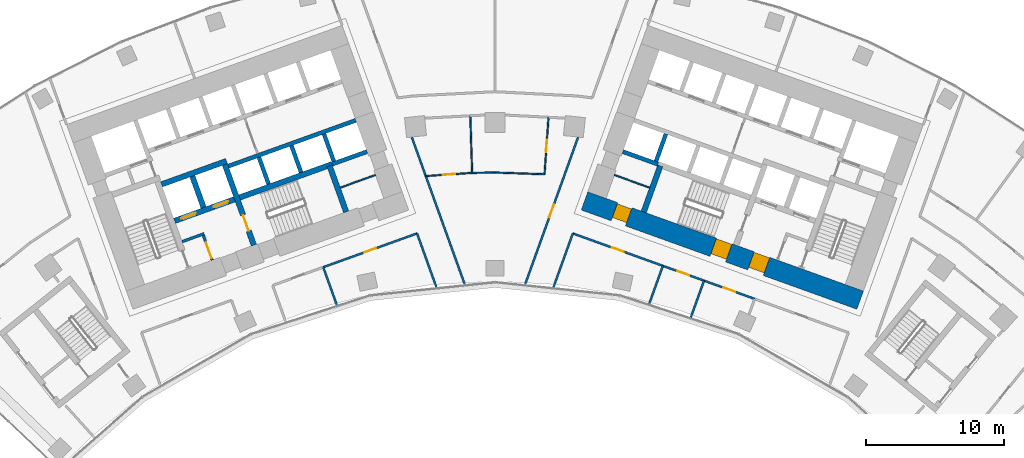
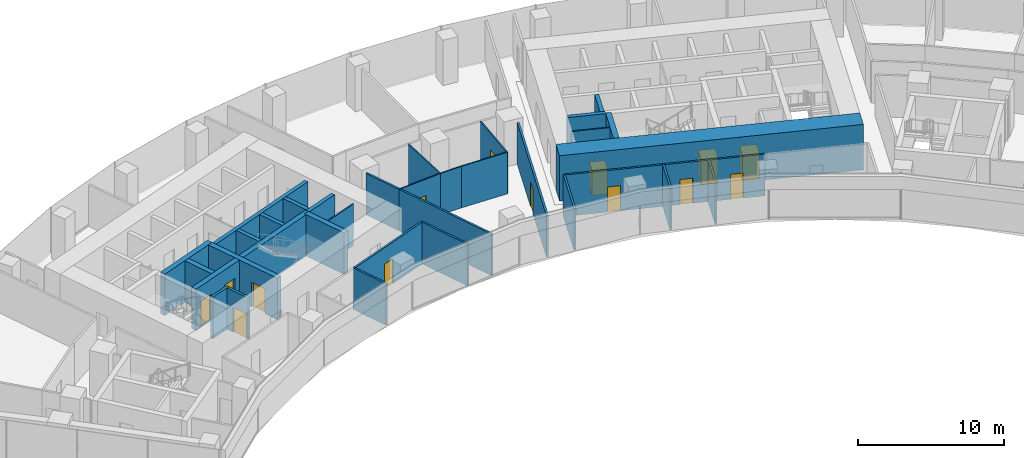
# One storey, part 13 of 19: 35 walls, 14 doors, 14 openings.
"""IFC4 building model written with IfcOpenShell, lengths in metres."""

import ifcopenshell
import ifcopenshell.guid

model = None  # the IFC model being written
_history = None  # IfcOwnerHistory: only IFC2X3 demands one
_inside = {}  # id of a spatial element -> (the spatial element, [elements in it])
_under = {}  # id of a project, library or spatial element -> (it, [spatial elements below it])
_declared = {}  # id of a project -> (the project, [libraries it declares])
_typed = {}  # id of a type object -> (the type object, [elements of that type])
_made_of = {}  # id of a material, layer set ... -> (it, [elements and type objects made of it])


def new_model(schema):
    """Start an empty IFC model of exactly this schema.

    Asked for "IFC4X3", IfcOpenShell would pick the latest addendum, in which some entities
    have other attributes; the version numbers below select the first issue.
    IFC2X3 requires an IfcOwnerHistory on every rooted entity: one is made here for all.
    """
    global model, _history
    if schema == "IFC4X3":
        model = ifcopenshell.file(schema_version=(4, 3, 0, 0))
    else:
        model = ifcopenshell.file(schema=schema)
    _inside.clear()
    _under.clear()
    _declared.clear()
    _typed.clear()
    _made_of.clear()
    _history = None
    if model.schema == "IFC2X3":
        org = make("IfcOrganization", Name="unknown")
        user = make(
            "IfcPersonAndOrganization",
            ThePerson=make("IfcPerson", FamilyName="unknown"),
            TheOrganization=org,
        )
        app = make(
            "IfcApplication",
            ApplicationDeveloper=org,
            Version="unknown",
            ApplicationFullName="unknown",
            ApplicationIdentifier="unknown",
        )
        _history = make(
            "IfcOwnerHistory",
            OwningUser=user,
            OwningApplication=app,
            ChangeAction="ADDED",
            CreationDate=0,
        )
    return model


def make(cls, **values):
    """One entity of the class cls with the attributes given. An attribute that is None is left unset."""
    return model.create_entity(
        cls, **{name: value for name, value in values.items() if value is not None}
    )


def rooted(cls, **values):
    """An entity with a GlobalId (a new one), such as an element, a storey or a relation."""
    return make(cls, GlobalId=ifcopenshell.guid.new(), OwnerHistory=_history, **values)


def si_unit(unit_type, name, prefix=None):
    """IfcSIUnit, for example si_unit("LENGTHUNIT", "METRE", prefix="MILLI")."""
    return make("IfcSIUnit", UnitType=unit_type, Prefix=prefix, Name=name)


def assignment(units):
    """IfcUnitAssignment: the units of a project."""
    return None if units is None else make("IfcUnitAssignment", Units=units)


def point(xyz):
    """IfcCartesianPoint."""
    return None if xyz is None else make("IfcCartesianPoint", Coordinates=xyz)


def direction(xyz):
    """IfcDirection."""
    return None if xyz is None else make("IfcDirection", DirectionRatios=xyz)


def frame(location, z_axis=None, x_axis=None):
    """IfcAxis2Placement3D, a coordinate frame: its origin and axes. An axis left out is left unset."""
    return make(
        "IfcAxis2Placement3D",
        Location=point(location),
        Axis=direction(z_axis),
        RefDirection=direction(x_axis),
    )


def frame_2d(location, x_axis=None):
    """IfcAxis2Placement2D, a coordinate frame in the plane: its origin and x axis."""
    return make(
        "IfcAxis2Placement2D", Location=point(location), RefDirection=direction(x_axis)
    )


def origin():
    """The frame at (0, 0, 0) with its axes left unset."""
    return frame((0.0, 0.0, 0.0))


def place(relative_to, where):
    """IfcLocalPlacement: puts the frame where relative to a parent placement (None: the world)."""
    return make(
        "IfcLocalPlacement", PlacementRelTo=relative_to, RelativePlacement=where
    )


def context(
    kind, dimensions, precision=None, world=None, true_north=None, identifier=None
):
    """IfcGeometricRepresentationContext, for example the 3D "Model" context."""
    return make(
        "IfcGeometricRepresentationContext",
        ContextIdentifier=identifier,
        ContextType=kind,
        CoordinateSpaceDimension=dimensions,
        Precision=precision,
        WorldCoordinateSystem=world,
        TrueNorth=true_north,
    )


def subcontext(parent, identifier, kind, view, scale=None):
    """IfcGeometricRepresentationSubContext, for example "Body" below "Model"."""
    return make(
        "IfcGeometricRepresentationSubContext",
        ContextIdentifier=identifier,
        ContextType=kind,
        ParentContext=parent,
        TargetScale=scale,
        TargetView=view,
    )


def project(units=None, contexts=None):
    """IfcProject with its units and contexts."""
    return rooted(
        "IfcProject",
        Name="project",
        RepresentationContexts=contexts,
        UnitsInContext=assignment(units),
    )


def spatial(cls, under=None, at=None, **own):
    """A site, building, storey or space (cls), placed at a placement, below another one or the project."""
    s = rooted(cls, ObjectPlacement=at, **own)
    if under is not None:
        _under.setdefault(under.id(), (under, []))[1].append(s)
    return s


def profile(cls, at=None, kind="AREA", **sizes):
    """A parametric profile (cls). Its sizes go by their IFC names, for example OverallWidth=200.0."""
    return make(cls, ProfileType=kind, Position=at, **sizes)


def rectangle(**sizes):
    """IfcRectangleProfileDef."""
    return profile("IfcRectangleProfileDef", **sizes)


def extrude(swept, where, along, depth):
    """IfcExtrudedAreaSolid: the profile swept, set in the frame where, extruded along a direction by depth."""
    return make(
        "IfcExtrudedAreaSolid",
        SweptArea=swept,
        Position=where,
        ExtrudedDirection=direction(along),
        Depth=depth,
    )


def shape(context_of_items, identifier, shape_type, items):
    """IfcShapeRepresentation: the items that make up one representation, for example the "Body"."""
    return make(
        "IfcShapeRepresentation",
        ContextOfItems=context_of_items,
        RepresentationIdentifier=identifier,
        RepresentationType=shape_type,
        Items=items,
    )


def material(Name=None, Category=None):
    """IfcMaterial."""
    return make("IfcMaterial", Name=Name, Category=Category)


def layer(
    of_material, thickness, ventilated=None, Name=None, Category=None, Priority=None
):
    """IfcMaterialLayer: one layer of a wall or slab, of a material (None: an air gap)."""
    return make(
        "IfcMaterialLayer",
        Material=of_material,
        LayerThickness=thickness,
        IsVentilated=ventilated,
        Name=Name,
        Category=Category,
        Priority=Priority,
    )


def layer_set(layers, Name=None):
    """IfcMaterialLayerSet."""
    return make("IfcMaterialLayerSet", MaterialLayers=layers, LayerSetName=Name)


def made_of(thing, what):
    """Note that an element or type object is made of a material, layer set ...; save() writes the relation."""
    if what is not None:
        _made_of.setdefault(what.id(), (what, []))[1].append(thing)
    return thing


def type_object(cls, material=None, **own):
    """A type object (cls), such as IfcWallType, which elements share."""
    return made_of(rooted(cls, **own), material)


def element(
    cls,
    number,
    at=None,
    inside=None,
    cuts=None,
    type_object=None,
    material=None,
    context=None,
    identifier="Body",
    shape_type=None,
    held_by="IfcProductDefinitionShape",
    body=None,
    shapes=None,
    **own,
):
    """One element of the class cls, such as IfcWall. Its Tag is "e" and its number.

    at: its placement. inside: the storey or other place that contains it. cuts: it is an
    opening in that element (IfcRelVoidsElement). A single representation is given by context,
    identifier, shape_type and body (its items); several are given by shapes. held_by: the class
    of the entity that holds the representations. save() writes the other relations.
    """
    e = rooted(cls, Tag="e%d" % number, ObjectPlacement=at, **own)
    if body is not None:
        shapes = [shape(context, identifier, shape_type, body)]
    if shapes is not None:
        e.Representation = make(held_by, Representations=shapes)
    if inside is not None:
        _inside.setdefault(inside.id(), (inside, []))[1].append(e)
    if cuts is not None:
        rooted(
            "IfcRelVoidsElement", RelatingBuildingElement=cuts, RelatedOpeningElement=e
        )
    if type_object is not None:
        _typed.setdefault(type_object.id(), (type_object, []))[1].append(e)
    return made_of(e, material)


def fill(opening, filler):
    """IfcRelFillsElement: the door or window that sits in an opening."""
    return rooted(
        "IfcRelFillsElement",
        RelatingOpeningElement=opening,
        RelatedBuildingElement=filler,
    )


def aggregate(whole, parts):
    """IfcRelAggregates: a whole, such as a stair, and the parts it consists of."""
    return rooted("IfcRelAggregates", RelatingObject=whole, RelatedObjects=parts)


def save(model, path):
    """Write the relations noted so far, then the file.

    IfcRelAggregates (storeys below a building ...), IfcRelContainedInSpatialStructure (elements
    in a storey), IfcRelDefinesByType, IfcRelAssociatesMaterial and IfcRelDeclares: one each for
    every whole, place, type object, material and project.
    """
    for whole, parts in _under.values():
        aggregate(whole, parts)
    for where, things in _inside.values():
        rooted(
            "IfcRelContainedInSpatialStructure",
            RelatedElements=things,
            RelatingStructure=where,
        )
    for kind, things in _typed.values():
        rooted("IfcRelDefinesByType", RelatedObjects=things, RelatingType=kind)
    for what, things in _made_of.values():
        rooted("IfcRelAssociatesMaterial", RelatedObjects=things, RelatingMaterial=what)
    for by, libraries in _declared.values():
        rooted("IfcRelDeclares", RelatingContext=by, RelatedDefinitions=libraries)
    model.write(path)


model = new_model("IFC4")

# Units and contexts
model_context = context("Model", 3, precision=1e-05, world=origin(), true_north=direction((0.0, 1.0)))
body_context = subcontext(model_context, "Body", "Model", "MODEL_VIEW")
ifc_project = project(units=[si_unit("LENGTHUNIT", "METRE"), si_unit("AREAUNIT", "SQUARE_METRE"), si_unit("VOLUMEUNIT", "CUBIC_METRE"), si_unit("PLANEANGLEUNIT", "RADIAN"), si_unit("MASSUNIT", "GRAM", prefix="KILO")], contexts=[model_context])

# Site, building, storey
site_placement = place(None, origin())
site = spatial("IfcSite", under=ifc_project, at=site_placement, CompositionType="ELEMENT")
building_placement = place(site_placement, origin())
building = spatial("IfcBuilding", under=site, at=building_placement, Name="Stone Belt Terrace Tower", CompositionType="ELEMENT")
storey_placement = place(building_placement, frame((0.0, 0.0, 128.800048828125)))
storey = spatial("IfcBuildingStorey", under=building, at=storey_placement, Name="L31", CompositionType="ELEMENT", Elevation=128.800048828125)

# Walls
ifc_material_1 = material(Name="Plasterboard partition")
ifc_layer_1 = layer(ifc_material_1, 0.10009765625)
ifc_layer_set_1 = layer_set([ifc_layer_1], Name="Core partition 100")
wall_type_1 = type_object("IfcWallType", Name="Core partition 100", PredefinedType="PARTITIONING", material=ifc_layer_set_1)
for number, where, z_axis, x_axis, name in (
    (1, (-11.187744140625, 50.2822265625, 0.0), (0.0, 0.0, 1.0), (0.940949642365, 0.338546555931, 0.0), "Core A wall"),
    (2, (11.187744140625, 50.2822265625, 0.0), (0.0, 0.0, 1.0), (-0.940949642365, 0.338546555931, 0.0), "Core B wall"),
):
    element("IfcWall", number, at=place(storey_placement, frame(where, z_axis=z_axis, x_axis=x_axis)), inside=storey, type_object=wall_type_1, Name=name, PredefinedType="PARTITIONING", context=body_context, shape_type="SweptSolid", body=[
        extrude(rectangle(XDim=2.699951171875, YDim=0.10009765625, at=frame_2d((1.35009765625, 0.0))), origin(), (0.0, 0.0, 1.0), 3.47998046875),
    ])

# Wall, openings, doors
ifc_material_2 = material(Name="Concrete B80", Category="concrete")
ifc_layer_2 = layer(ifc_material_2, 1.39990234375)
ifc_layer_set_2 = layer_set([ifc_layer_2], Name="Core wall 1400 B80")
wall_type_2 = type_object("IfcWallType", Name="Core wall 1400 B80", PredefinedType="SHEAR", material=ifc_layer_set_2)
wall_1_placement = place(storey_placement, frame((6.4833984375, 49.318115234375, 0.0), z_axis=(0.0, 0.0, 1.0), x_axis=(0.940923374003, -0.33861955681, 0.0)))
wall_1 = element("IfcWall", 3, at=wall_1_placement, inside=storey, type_object=wall_type_2, Name="Core B wall concave L31", PredefinedType="SHEAR", context=body_context, shape_type="SweptSolid", body=[
    extrude(rectangle(XDim=21.199951171875, YDim=1.39990234375, at=frame_2d((10.60009765625, 0.0))), origin(), (0.0, 0.0, 1.0), 3.800048828125),
])
opening_1_placement = place(wall_1_placement, frame((12.800048828125, 0.0, 0.0)))
opening_1 = element("IfcOpeningElement", 4, at=opening_1_placement, cuts=wall_1, Name="Opening L31-C18", PredefinedType="OPENING", context=body_context, shape_type="SweptSolid", body=[
    extrude(rectangle(XDim=1.199951171875, YDim=2.10009765625, at=frame_2d((0.60009765625, 1.050048828125))), frame((0.0, 0.7099609375, 0.0), z_axis=(0.0, -1.0, 0.0), x_axis=(1.0, 0.0, 0.0)), (0.0, 0.0, 1.0), 1.419921875),
])
opening_2_placement = place(wall_1_placement, frame((9.89990234375, 0.0, 0.0)))
opening_2 = element("IfcOpeningElement", 5, at=opening_2_placement, cuts=wall_1, Name="Opening L31-C20", PredefinedType="OPENING", context=body_context, shape_type="SweptSolid", body=[
    extrude(rectangle(XDim=1.199951171875, YDim=2.10009765625, at=frame_2d((0.60009765625, 1.050048828125))), frame((0.0, 0.7099609375, 0.0), z_axis=(0.0, -1.0, 0.0), x_axis=(1.0, 0.0, 0.0)), (0.0, 0.0, 1.0), 1.419921875),
])
opening_3_placement = place(wall_1_placement, frame((2.300048828125, 0.0, 0.0)))
opening_3 = element("IfcOpeningElement", 6, at=opening_3_placement, cuts=wall_1, Name="Opening L31-C22", PredefinedType="OPENING", context=body_context, shape_type="SweptSolid", body=[
    extrude(rectangle(XDim=1.10009765625, YDim=2.10009765625, at=frame_2d((0.550048828125, 1.050048828125))), frame((0.0, 0.7099609375, 0.0), z_axis=(0.0, -1.0, 0.0), x_axis=(1.0, 0.0, 0.0)), (0.0, 0.0, 1.0), 1.419921875),
])
ifc_material_3 = material(Name="Timber door leaf", Category="wood")
door_type_1 = type_object("IfcDoorType", Name="Core room door 1100", OperationType="SINGLE_SWING_LEFT", PredefinedType="DOOR", material=ifc_material_3)
door_1_placement = place(opening_3_placement, origin())
door_1 = element("IfcDoor", 7, at=door_1_placement, inside=storey, type_object=door_type_1, Name="Door to Cleaner's store core B", OperationType="SINGLE_SWING_RIGHT", OverallHeight=2.10009765625, OverallWidth=1.10009765625, PredefinedType="DOOR", context=body_context, shape_type="SweptSolid", body=[
    extrude(rectangle(XDim=1.10009765625, YDim=2.10009765625, at=frame_2d((0.550048828125, 1.050048828125))), frame((0.0, 0.60498046875, 0.0), z_axis=(0.0, -1.0, 0.0), x_axis=(1.0, 0.0, 0.0)), (0.0, 0.0, 1.0), 1.050048828125),
])
fill(opening_3, door_1)
ifc_material_4 = material(Name="Steel door leaf", Category="steel")
door_type_2 = type_object("IfcDoorType", Name="Fire-fighting lobby door 1200", OperationType="SINGLE_SWING_LEFT", PredefinedType="DOOR", material=ifc_material_4)
door_2_placement = place(opening_1_placement, origin())
door_2 = element("IfcDoor", 8, at=door_2_placement, inside=storey, type_object=door_type_2, Name="Fire-fighting lobby door core B", OperationType="SINGLE_SWING_RIGHT", OverallHeight=2.10009765625, OverallWidth=1.199951171875, PredefinedType="DOOR", context=body_context, shape_type="SweptSolid", body=[
    extrude(rectangle(XDim=1.199951171875, YDim=2.10009765625, at=frame_2d((0.60009765625, 1.050048828125))), frame((0.0, 0.655029296875, 0.0), z_axis=(0.0, -1.0, 0.0), x_axis=(1.0, 0.0, 0.0)), (0.0, 0.0, 1.0), 1.14990234375),
])
fill(opening_1, door_2)
door_type_3 = type_object("IfcDoorType", Name="Stair door 1200", OperationType="SINGLE_SWING_LEFT", PredefinedType="DOOR", material=ifc_material_4)
door_3_placement = place(opening_2_placement, origin())
door_3 = element("IfcDoor", 9, at=door_3_placement, inside=storey, type_object=door_type_3, Name="Stair 2 exit door core B", OperationType="SINGLE_SWING_LEFT", OverallHeight=2.10009765625, OverallWidth=1.199951171875, PredefinedType="DOOR", context=body_context, shape_type="SweptSolid", body=[
    extrude(rectangle(XDim=1.199951171875, YDim=2.10009765625, at=frame_2d((0.60009765625, 1.050048828125))), frame((0.0, 0.655029296875, 0.0), z_axis=(0.0, -1.0, 0.0), x_axis=(1.0, 0.0, 0.0)), (0.0, 0.0, 1.0), 1.14990234375),
])
fill(opening_2, door_3)

# Walls
ifc_layer_3 = layer(ifc_material_2, 0.39990234375)
ifc_layer_set_3 = layer_set([ifc_layer_3], Name="Fire-fighting lift shaft wall 400")
wall_type_3 = type_object("IfcWallType", Name="Fire-fighting lift shaft wall 400", PredefinedType="SHEAR", material=ifc_layer_set_3)
wall_2_placement = place(storey_placement, frame((-24.130615234375, 50.512939453125, 0.0), z_axis=(0.0, 0.0, 1.0), x_axis=(0.94091168377, 0.338652038744, 0.0)))
element("IfcWall", 10, at=wall_2_placement, inside=storey, type_object=wall_type_3, Name="Core A wall", PredefinedType="SHEAR", context=body_context, shape_type="SweptSolid", body=[
    extrude(rectangle(XDim=5.000244140625, YDim=0.39990234375, at=frame_2d((2.5, 0.0))), origin(), (0.0, 0.0, 1.0), 3.47998046875),
])
wall_3_placement = place(storey_placement, frame((-21.0859375, 48.845458984375, 0.0), z_axis=(0.0, 0.0, 1.0), x_axis=(-0.338629416206, 0.940919825745, 0.0)))
element("IfcWall", 11, at=wall_3_placement, inside=storey, type_object=wall_type_3, Name="Core A wall", PredefinedType="SHEAR", context=body_context, shape_type="SweptSolid", body=[
    extrude(rectangle(XDim=2.400146484375, YDim=0.39990234375, at=frame_2d((1.2001953125, 0.0))), origin(), (0.0, 0.0, 1.0), 3.47998046875),
])
ifc_layer_4 = layer(ifc_material_2, 0.300048828125)
ifc_layer_set_4 = layer_set([ifc_layer_4], Name="Lift shaft wall 300")
wall_type_4 = type_object("IfcWallType", Name="Lift shaft wall 300", PredefinedType="SHEAR", material=ifc_layer_set_4)
wall_4_placement = place(storey_placement, frame((-19.29052734375, 51.829833984375, 0.0), z_axis=(0.0, 0.0, 1.0), x_axis=(0.940925833398, 0.338612722803, 0.0)))
element("IfcWall", 12, at=wall_4_placement, inside=storey, type_object=wall_type_4, Name="Core A wall", PredefinedType="SHEAR", context=body_context, shape_type="SweptSolid", body=[
    extrude(rectangle(XDim=9.7998046875, YDim=0.300048828125, at=frame_2d((4.89990234375, 0.0))), origin(), (0.0, 0.0, 1.0), 3.47998046875),
])
for number, where, z_axis, x_axis, name in (
    (13, (-16.38134765625, 50.53857421875, 0.0), (0.0, 0.0, 1.0), (-0.338681515556, 0.940901073982, 0.0), "Core A wall"),
    (14, (-14.029052734375, 51.38525390625, 0.0), (0.0, 0.0, 1.0), (-0.338681515556, 0.940901073982, 0.0), "Core A wall"),
):
    element("IfcWall", number, at=place(storey_placement, frame(where, z_axis=z_axis, x_axis=x_axis)), inside=storey, type_object=wall_type_4, Name=name, PredefinedType="SHEAR", context=body_context, shape_type="SweptSolid", body=[
        extrude(rectangle(XDim=2.050048828125, YDim=0.300048828125, at=frame_2d((1.02490234375, 0.0))), origin(), (0.0, 0.0, 1.0), 3.47998046875),
    ])
wall_5_placement = place(storey_placement, frame((-11.797119140625, 51.975830078125, 0.0), z_axis=(0.0, 0.0, 1.0), x_axis=(0.940910465161, 0.33865542451, 0.0)))
element("IfcWall", 15, at=wall_5_placement, inside=storey, type_object=wall_type_4, Name="Core A wall", PredefinedType="SHEAR", context=body_context, shape_type="SweptSolid", body=[
    extrude(rectangle(XDim=2.69970703125, YDim=0.300048828125, at=frame_2d((1.349853515625, 0.0))), origin(), (0.0, 0.0, 1.0), 3.47998046875),
])
wall_6_placement = place(storey_placement, frame((-11.659912109375, 52.184814453125, 0.0), z_axis=(0.0, 0.0, 1.0), x_axis=(-0.338670064856, 0.940905195634, 0.0)))
element("IfcWall", 16, at=wall_6_placement, inside=storey, type_object=wall_type_4, Name="Core A wall", PredefinedType="SHEAR", context=body_context, shape_type="SweptSolid", body=[
    extrude(rectangle(XDim=2.099853515625, YDim=0.300048828125, at=frame_2d((1.0498046875, 0.0))), origin(), (0.0, 0.0, 1.0), 3.47998046875),
])
wall_7_placement = place(storey_placement, frame((11.797119140625, 51.975830078125, 0.0), z_axis=(0.0, 0.0, 1.0), x_axis=(-0.940910465161, 0.33865542451, 0.0)))
element("IfcWall", 17, at=wall_7_placement, inside=storey, type_object=wall_type_4, Name="Core B wall", PredefinedType="SHEAR", context=body_context, shape_type="SweptSolid", body=[
    extrude(rectangle(XDim=2.69970703125, YDim=0.300048828125, at=frame_2d((1.349853515625, 0.0))), origin(), (0.0, 0.0, 1.0), 3.47998046875),
])
wall_8_placement = place(storey_placement, frame((11.659912109375, 52.184814453125, 0.0), z_axis=(0.0, 0.0, 1.0), x_axis=(0.338670064856, 0.940905195634, 0.0)))
element("IfcWall", 18, at=wall_8_placement, inside=storey, type_object=wall_type_4, Name="Core B wall", PredefinedType="SHEAR", context=body_context, shape_type="SweptSolid", body=[
    extrude(rectangle(XDim=2.099853515625, YDim=0.300048828125, at=frame_2d((1.0498046875, 0.0))), origin(), (0.0, 0.0, 1.0), 3.47998046875),
])

# Wall, opening, door
ifc_material_5 = material(Name="Gypsum board partition")
ifc_layer_5 = layer(ifc_material_5, 0.10009765625)
ifc_layer_set_5 = layer_set([ifc_layer_5], Name="PARTITION 100")
wall_type_5 = type_object("IfcWallType", Name="PARTITION 100", PredefinedType="PARTITIONING", material=ifc_layer_set_5)
wall_9_placement = place(storey_placement, frame((-5.007080078125, 51.118896484375, 0.0), z_axis=(0.0, 0.0, 1.0), x_axis=(0.99765687033, 0.068416146369, 0.0)))
wall_9 = element("IfcWall", 19, at=wall_9_placement, inside=storey, type_object=wall_type_5, Name="L31/wall/i085", PredefinedType="PARTITIONING", context=body_context, shape_type="SweptSolid", body=[
    extrude(rectangle(XDim=3.364990234375, YDim=0.10009765625, at=frame_2d((1.6826171875, 0.0))), origin(), (0.0, 0.0, 1.0), 3.47998046875),
])
opening_4_placement = place(wall_9_placement, frame((1.232421875, 0.0, 0.0)))
opening_4 = element("IfcOpeningElement", 20, at=opening_4_placement, cuts=wall_9, Name="Opening D-B5-27", PredefinedType="OPENING", context=body_context, shape_type="SweptSolid", body=[
    extrude(rectangle(XDim=0.89990234375, YDim=2.10009765625, at=frame_2d((0.449951171875, 1.050048828125))), frame((0.0, 0.06005859375, 0.0), z_axis=(0.0, -1.0, 0.0), x_axis=(1.0, 0.0, 0.0)), (0.0, 0.0, 1.0), 0.1201171875),
])
door_type_4 = type_object("IfcDoorType", Name="OFFICE DOOR 900 X 2100", OperationType="NOTDEFINED", PredefinedType="DOOR", material=ifc_material_3)
door_4_placement = place(opening_4_placement, origin())
door_4 = element("IfcDoor", 21, at=door_4_placement, inside=storey, type_object=door_type_4, Name="L31/door/i27", OperationType="SINGLE_SWING_RIGHT", OverallHeight=2.10009765625, OverallWidth=0.89990234375, PredefinedType="DOOR", context=body_context, shape_type="SweptSolid", body=[
    extrude(rectangle(XDim=0.89990234375, YDim=2.10009765625, at=frame_2d((0.449951171875, 1.050048828125))), frame((0.0, 0.02490234375, 0.0), z_axis=(0.0, -1.0, 0.0), x_axis=(1.0, 0.0, 0.0)), (0.0, 0.0, 1.0), 0.050048828125),
])
fill(opening_4, door_4)

# Walls
wall_10_placement = place(storey_placement, frame((-1.64990234375, 51.34912109375, 0.0), z_axis=(0.0, 0.0, 1.0), x_axis=(0.999877011293, 0.015683184847, 0.0)))
element("IfcWall", 22, at=wall_10_placement, inside=storey, type_object=wall_type_5, Name="L31/wall/i086", PredefinedType="PARTITIONING", context=body_context, shape_type="SweptSolid", body=[
    extrude(rectangle(XDim=1.650146484375, YDim=0.10009765625, at=frame_2d((0.8251953125, 0.0))), origin(), (0.0, 0.0, 1.0), 3.47998046875),
])
wall_11_placement = place(storey_placement, frame((0.0, 51.375, 0.0), z_axis=(0.0, 0.0, 1.0), x_axis=(0.999384575764, -0.035078051908, 0.0)))
element("IfcWall", 23, at=wall_11_placement, inside=storey, type_object=wall_type_5, Name="L31/wall/i087", PredefinedType="PARTITIONING", context=body_context, shape_type="SweptSolid", body=[
    extrude(rectangle(XDim=3.59130859375, YDim=0.10009765625, at=frame_2d((1.795654296875, 0.0))), origin(), (0.0, 0.0, 1.0), 3.47998046875),
])

# Wall, opening, door
wall_12_placement = place(storey_placement, frame((3.589111328125, 51.2490234375, 0.0), z_axis=(0.0, 0.0, 1.0), x_axis=(0.069878503545, 0.997555509605, 0.0)))
wall_12 = element("IfcWall", 24, at=wall_12_placement, inside=storey, type_object=wall_type_5, Name="L31/wall/i088", PredefinedType="PARTITIONING", context=body_context, shape_type="SweptSolid", body=[
    extrude(rectangle(XDim=4.133056640625, YDim=0.10009765625, at=frame_2d((2.06640625, 0.0))), origin(), (0.0, 0.0, 1.0), 3.47998046875),
])
opening_5_placement = place(wall_12_placement, frame((1.616455078125, 0.0, 0.0)))
opening_5 = element("IfcOpeningElement", 25, at=opening_5_placement, cuts=wall_12, Name="Opening D-B5-28", PredefinedType="OPENING", context=body_context, shape_type="SweptSolid", body=[
    extrude(rectangle(XDim=0.89990234375, YDim=2.10009765625, at=frame_2d((0.449951171875, 1.050048828125))), frame((0.0, 0.06005859375, 0.0), z_axis=(0.0, -1.0, 0.0), x_axis=(1.0, 0.0, 0.0)), (0.0, 0.0, 1.0), 0.1201171875),
])
door_5_placement = place(opening_5_placement, origin())
door_5 = element("IfcDoor", 26, at=door_5_placement, inside=storey, type_object=door_type_4, Name="L31/door/i28", OperationType="SINGLE_SWING_RIGHT", OverallHeight=2.10009765625, OverallWidth=0.89990234375, PredefinedType="DOOR", context=body_context, shape_type="SweptSolid", body=[
    extrude(rectangle(XDim=0.89990234375, YDim=2.10009765625, at=frame_2d((0.449951171875, 1.050048828125))), frame((0.0, 0.02490234375, 0.0), z_axis=(0.0, -1.0, 0.0), x_axis=(1.0, 0.0, 0.0)), (0.0, 0.0, 1.0), 0.050048828125),
])
fill(opening_5, door_5)

# Walls
wall_13_placement = place(storey_placement, frame((-1.782958984375, 55.48193359375, 0.0), z_axis=(0.0, 0.0, 1.0), x_axis=(0.032178506916, -0.999482137756, 0.0)))
element("IfcWall", 27, at=wall_13_placement, inside=storey, type_object=wall_type_5, Name="L31/wall/i089", PredefinedType="PARTITIONING", context=body_context, shape_type="SweptSolid", body=[
    extrude(rectangle(XDim=4.135009765625, YDim=0.10009765625, at=frame_2d((2.0673828125, 0.0))), origin(), (0.0, 0.0, 1.0), 3.47998046875),
])
ifc_layer_6 = layer(ifc_material_5, 0.14990234375)
ifc_layer_set_6 = layer_set([ifc_layer_6], Name="PARTITION 150 EI 60")
wall_type_6 = type_object("IfcWallType", Name="PARTITION 150 EI 60", PredefinedType="PARTITIONING", material=ifc_layer_set_6)
wall_14_placement = place(storey_placement, frame((-4.230224609375, 43.055419921875, 0.0), z_axis=(0.0, 0.0, 1.0), x_axis=(-0.33845358521, 0.940983087339, 0.0)))
element("IfcWall", 28, at=wall_14_placement, inside=storey, type_object=wall_type_6, Name="L31/wall/i006", PredefinedType="PARTITIONING", context=body_context, shape_type="SweptSolid", body=[
    extrude(rectangle(XDim=4.162109375, YDim=0.14990234375, at=frame_2d((2.0810546875, 0.0))), origin(), (0.0, 0.0, 1.0), 3.47998046875),
])
wall_15_placement = place(storey_placement, frame((-5.008056640625, 51.125, 0.0), z_axis=(0.0, 0.0, 1.0), x_axis=(0.338575502556, -0.940939227086, 0.0)))
element("IfcWall", 29, at=wall_15_placement, inside=storey, type_object=wall_type_6, Name="L31/wall/i008", PredefinedType="PARTITIONING", context=body_context, shape_type="SweptSolid", body=[
    extrude(rectangle(XDim=8.34716796875, YDim=0.14990234375, at=frame_2d((4.173583984375, 0.0))), origin(), (0.0, 0.0, 1.0), 3.47998046875),
])
wall_16_placement = place(storey_placement, frame((-6.01171875, 53.911865234375, 0.0), z_axis=(0.0, 0.0, 1.0), x_axis=(0.338789216094, -0.940862299733, 0.0)))
element("IfcWall", 30, at=wall_16_placement, inside=storey, type_object=wall_type_6, Name="L31/wall/i009", PredefinedType="PARTITIONING", context=body_context, shape_type="SweptSolid", body=[
    extrude(rectangle(XDim=2.974853515625, YDim=0.14990234375, at=frame_2d((1.4873046875, 0.0))), origin(), (0.0, 0.0, 1.0), 3.47998046875),
])

# Wall, opening, door
wall_17_placement = place(storey_placement, frame((-5.637939453125, 46.966064453125, 0.0), z_axis=(0.0, 0.0, 1.0), x_axis=(-0.940896892246, -0.338693132735, 0.0)))
wall_17 = element("IfcWall", 31, at=wall_17_placement, inside=storey, type_object=wall_type_6, Name="L31/wall/i015", PredefinedType="PARTITIONING", context=body_context, shape_type="SweptSolid", body=[
    extrude(rectangle(XDim=7.221923828125, YDim=0.14990234375, at=frame_2d((3.61083984375, 0.0))), origin(), (0.0, 0.0, 1.0), 3.47998046875),
])
opening_6_placement = place(wall_17_placement, frame((3.160888671875, 0.0, 0.0)))
opening_6 = element("IfcOpeningElement", 32, at=opening_6_placement, cuts=wall_17, Name="Opening D-B5-03", PredefinedType="OPENING", context=body_context, shape_type="SweptSolid", body=[
    extrude(rectangle(XDim=0.89990234375, YDim=2.10009765625, at=frame_2d((0.449951171875, 1.050048828125))), frame((0.0, 0.0849609375, 0.0), z_axis=(0.0, -1.0, 0.0), x_axis=(1.0, 0.0, 0.0)), (0.0, 0.0, 1.0), 0.169921875),
])
door_6_placement = place(opening_6_placement, origin())
door_6 = element("IfcDoor", 33, at=door_6_placement, inside=storey, type_object=door_type_4, Name="L31/door/i03", OperationType="SINGLE_SWING_RIGHT", OverallHeight=2.10009765625, OverallWidth=0.89990234375, PredefinedType="DOOR", context=body_context, shape_type="SweptSolid", body=[
    extrude(rectangle(XDim=0.89990234375, YDim=2.10009765625, at=frame_2d((0.449951171875, 1.050048828125))), frame((0.0, 0.02490234375, 0.0), z_axis=(0.0, -1.0, 0.0), x_axis=(1.0, 0.0, 0.0)), (0.0, 0.0, 1.0), 0.050048828125),
])
fill(opening_6, door_6)

# Walls
wall_18_placement = place(storey_placement, frame((-12.427001953125, 44.52197265625, 0.0), z_axis=(0.0, 0.0, 1.0), x_axis=(0.338541993248, -0.940951283972, 0.0)))
element("IfcWall", 34, at=wall_18_placement, inside=storey, type_object=wall_type_6, Name="L31/wall/i016", PredefinedType="PARTITIONING", context=body_context, shape_type="SweptSolid", body=[
    extrude(rectangle(XDim=2.9228515625, YDim=0.14990234375, at=frame_2d((1.46142578125, 0.0))), origin(), (0.0, 0.0, 1.0), 3.47998046875),
])
wall_19_placement = place(storey_placement, frame((5.638916015625, 46.971923828125, 0.0), z_axis=(0.0, 0.0, 1.0), x_axis=(-0.33845358521, -0.940983087339, 0.0)))
element("IfcWall", 35, at=wall_19_placement, inside=storey, type_object=wall_type_6, Name="L31/wall/i018", PredefinedType="PARTITIONING", context=body_context, shape_type="SweptSolid", body=[
    extrude(rectangle(XDim=4.162109375, YDim=0.14990234375, at=frame_2d((2.0810546875, 0.0))), origin(), (0.0, 0.0, 1.0), 3.47998046875),
])

# Wall, opening, door
wall_20_placement = place(storey_placement, frame((2.181884765625, 43.270751953125, 0.0), z_axis=(0.0, 0.0, 1.0), x_axis=(0.33866290015, 0.940907774472, 0.0)))
wall_20 = element("IfcWall", 36, at=wall_20_placement, inside=storey, type_object=wall_type_6, Name="L31/wall/i020", PredefinedType="PARTITIONING", context=body_context, shape_type="SweptSolid", body=[
    extrude(rectangle(XDim=11.309326171875, YDim=0.14990234375, at=frame_2d((5.65478515625, 0.0))), origin(), (0.0, 0.0, 1.0), 3.47998046875),
])
opening_7_placement = place(wall_20_placement, frame((5.15478515625, 0.0, 0.0)))
opening_7 = element("IfcOpeningElement", 37, at=opening_7_placement, cuts=wall_20, Name="Opening D-B5-26", PredefinedType="OPENING", context=body_context, shape_type="SweptSolid", body=[
    extrude(rectangle(XDim=1.0, YDim=2.10009765625, at=frame_2d((0.5, 1.050048828125))), frame((0.0, 0.0849609375, 0.0), z_axis=(0.0, -1.0, 0.0), x_axis=(1.0, 0.0, 0.0)), (0.0, 0.0, 1.0), 0.169921875),
])
ifc_material_6 = material(Name="Timber fire door leaf", Category="wood")
door_type_5 = type_object("IfcDoorType", Name="TENANCY ENTRANCE DOOR 1000 X 2100", OperationType="NOTDEFINED", PredefinedType="DOOR", material=ifc_material_6)
door_7_placement = place(opening_7_placement, origin())
door_7 = element("IfcDoor", 38, at=door_7_placement, inside=storey, type_object=door_type_5, Name="L31/door/i26", OperationType="SINGLE_SWING_LEFT", OverallHeight=2.10009765625, OverallWidth=1.0, PredefinedType="DOOR", context=body_context, shape_type="SweptSolid", body=[
    extrude(rectangle(XDim=1.0, YDim=2.10009765625, at=frame_2d((0.5, 1.050048828125))), frame((0.0, 0.02490234375, 0.0), z_axis=(0.0, -1.0, 0.0), x_axis=(1.0, 0.0, 0.0)), (0.0, 0.0, 1.0), 0.050048828125),
])
fill(opening_7, door_7)

wall_21_placement = place(storey_placement, frame((12.159912109375, 44.618896484375, 0.0), z_axis=(0.0, 0.0, 1.0), x_axis=(-0.940937683525, 0.338579792253, 0.0)))
wall_21 = element("IfcWall", 39, at=wall_21_placement, inside=storey, type_object=wall_type_6, Name="L31/wall/i028", PredefinedType="PARTITIONING", context=body_context, shape_type="SweptSolid", body=[
    extrude(rectangle(XDim=6.932373046875, YDim=0.14990234375, at=frame_2d((3.46630859375, 0.0))), origin(), (0.0, 0.0, 1.0), 3.47998046875),
])
opening_8_placement = place(wall_21_placement, frame((3.01611328125, 0.0, 0.0)))
opening_8 = element("IfcOpeningElement", 40, at=opening_8_placement, cuts=wall_21, Name="Opening D-B5-06", PredefinedType="OPENING", context=body_context, shape_type="SweptSolid", body=[
    extrude(rectangle(XDim=0.89990234375, YDim=2.10009765625, at=frame_2d((0.449951171875, 1.050048828125))), frame((0.0, 0.0849609375, 0.0), z_axis=(0.0, -1.0, 0.0), x_axis=(1.0, 0.0, 0.0)), (0.0, 0.0, 1.0), 0.169921875),
])
door_8_placement = place(opening_8_placement, origin())
door_8 = element("IfcDoor", 41, at=door_8_placement, inside=storey, type_object=door_type_4, Name="L31/door/i06", OperationType="SINGLE_SWING_RIGHT", OverallHeight=2.10009765625, OverallWidth=0.89990234375, PredefinedType="DOOR", context=body_context, shape_type="SweptSolid", body=[
    extrude(rectangle(XDim=0.89990234375, YDim=2.10009765625, at=frame_2d((0.449951171875, 1.050048828125))), frame((0.0, 0.02490234375, 0.0), z_axis=(0.0, -1.0, 0.0), x_axis=(1.0, 0.0, 0.0)), (0.0, 0.0, 1.0), 0.050048828125),
])
fill(opening_8, door_8)

wall_22_placement = place(storey_placement, frame((15.137939453125, 43.547119140625, 0.0), z_axis=(0.0, 0.0, 1.0), x_axis=(-0.941032294425, 0.338316746334, 0.0)))
wall_22 = element("IfcWall", 42, at=wall_22_placement, inside=storey, type_object=wall_type_6, Name="L31/wall/i029", PredefinedType="PARTITIONING", context=body_context, shape_type="SweptSolid", body=[
    extrude(rectangle(XDim=3.17724609375, YDim=0.14990234375, at=frame_2d((1.588623046875, 0.0))), origin(), (0.0, 0.0, 1.0), 3.47998046875),
])
opening_9_placement = place(wall_22_placement, frame((1.138671875, 0.0, 0.0)))
opening_9 = element("IfcOpeningElement", 43, at=opening_9_placement, cuts=wall_22, Name="Opening D-B5-07", PredefinedType="OPENING", context=body_context, shape_type="SweptSolid", body=[
    extrude(rectangle(XDim=0.89990234375, YDim=2.10009765625, at=frame_2d((0.449951171875, 1.050048828125))), frame((0.0, 0.0849609375, 0.0), z_axis=(0.0, -1.0, 0.0), x_axis=(1.0, 0.0, 0.0)), (0.0, 0.0, 1.0), 0.169921875),
])
door_9_placement = place(opening_9_placement, origin())
door_9 = element("IfcDoor", 44, at=door_9_placement, inside=storey, type_object=door_type_4, Name="L31/door/i07", OperationType="SINGLE_SWING_RIGHT", OverallHeight=2.10009765625, OverallWidth=0.89990234375, PredefinedType="DOOR", context=body_context, shape_type="SweptSolid", body=[
    extrude(rectangle(XDim=0.89990234375, YDim=2.10009765625, at=frame_2d((0.449951171875, 1.050048828125))), frame((0.0, 0.02490234375, 0.0), z_axis=(0.0, -1.0, 0.0), x_axis=(1.0, 0.0, 0.0)), (0.0, 0.0, 1.0), 0.050048828125),
])
fill(opening_9, door_9)

wall_23_placement = place(storey_placement, frame((18.800048828125, 42.22900390625, 0.0), z_axis=(0.0, 0.0, 1.0), x_axis=(-0.940911327011, 0.338653029961, 0.0)))
wall_23 = element("IfcWall", 45, at=wall_23_placement, inside=storey, type_object=wall_type_6, Name="L31/wall/i030", PredefinedType="PARTITIONING", context=body_context, shape_type="SweptSolid", body=[
    extrude(rectangle(XDim=3.90380859375, YDim=0.14990234375, at=frame_2d((1.951904296875, 0.0))), origin(), (0.0, 0.0, 1.0), 3.47998046875),
])
opening_10_placement = place(wall_23_placement, frame((1.501953125, 0.0, 0.0)))
opening_10 = element("IfcOpeningElement", 46, at=opening_10_placement, cuts=wall_23, Name="Opening D-B5-08", PredefinedType="OPENING", context=body_context, shape_type="SweptSolid", body=[
    extrude(rectangle(XDim=0.89990234375, YDim=2.10009765625, at=frame_2d((0.449951171875, 1.050048828125))), frame((0.0, 0.0849609375, 0.0), z_axis=(0.0, -1.0, 0.0), x_axis=(1.0, 0.0, 0.0)), (0.0, 0.0, 1.0), 0.169921875),
])
door_10_placement = place(opening_10_placement, origin())
door_10 = element("IfcDoor", 47, at=door_10_placement, inside=storey, type_object=door_type_4, Name="L31/door/i08", OperationType="SINGLE_SWING_RIGHT", OverallHeight=2.10009765625, OverallWidth=0.89990234375, PredefinedType="DOOR", context=body_context, shape_type="SweptSolid", body=[
    extrude(rectangle(XDim=0.89990234375, YDim=2.10009765625, at=frame_2d((0.449951171875, 1.050048828125))), frame((0.0, 0.02490234375, 0.0), z_axis=(0.0, -1.0, 0.0), x_axis=(1.0, 0.0, 0.0)), (0.0, 0.0, 1.0), 0.050048828125),
])
fill(opening_10, door_10)

# Walls
wall_24_placement = place(storey_placement, frame((12.154052734375, 44.6201171875, 0.0), z_axis=(0.0, 0.0, 1.0), x_axis=(-0.338598562526, -0.940930929163, 0.0)))
element("IfcWall", 48, at=wall_24_placement, inside=storey, type_object=wall_type_6, Name="L31/wall/i032", PredefinedType="PARTITIONING", context=body_context, shape_type="SweptSolid", body=[
    extrude(rectangle(XDim=2.931640625, YDim=0.14990234375, at=frame_2d((1.4658203125, 0.0))), origin(), (0.0, 0.0, 1.0), 3.47998046875),
])
wall_25_placement = place(storey_placement, frame((15.132080078125, 43.548095703125, 0.0), z_axis=(0.0, 0.0, 1.0), x_axis=(-0.338737781131, -0.940880819039, 0.0)))
element("IfcWall", 49, at=wall_25_placement, inside=storey, type_object=wall_type_6, Name="L31/wall/i033", PredefinedType="PARTITIONING", context=body_context, shape_type="SweptSolid", body=[
    extrude(rectangle(XDim=2.83251953125, YDim=0.14990234375, at=frame_2d((1.416259765625, 0.0))), origin(), (0.0, 0.0, 1.0), 3.47998046875),
])
ifc_material_7 = material(Name="Concrete masonry block", Category="masonry")
ifc_layer_7 = layer(ifc_material_7, 0.199951171875)
ifc_layer_set_7 = layer_set([ifc_layer_7], Name="Rated lobby wall 200")
wall_type_7 = type_object("IfcWallType", Name="Rated lobby wall 200", PredefinedType="PARTITIONING", material=ifc_layer_set_7)
wall_26_placement = place(storey_placement, frame((-22.640625, 46.373046875, 0.0), z_axis=(0.0, 0.0, 1.0), x_axis=(0.940966110313, 0.338500781747, 0.0)))
element("IfcWall", 50, at=wall_26_placement, inside=storey, type_object=wall_type_7, Name="Core A wall", PredefinedType="PARTITIONING", context=body_context, shape_type="SweptSolid", body=[
    extrude(rectangle(XDim=1.699951171875, YDim=0.199951171875, at=frame_2d((0.85009765625, 0.0))), origin(), (0.0, 0.0, 1.0), 3.47998046875),
])

# Wall, opening, door
wall_27_placement = place(storey_placement, frame((-20.4580078125, 45.032958984375, 0.0), z_axis=(0.0, 0.0, 1.0), x_axis=(-0.338573865316, 0.940939816208, 0.0)))
wall_27 = element("IfcWall", 51, at=wall_27_placement, inside=storey, type_object=wall_type_7, Name="Core A wall", PredefinedType="PARTITIONING", context=body_context, shape_type="SweptSolid", body=[
    extrude(rectangle(XDim=1.900146484375, YDim=0.199951171875, at=frame_2d((0.9501953125, 0.0))), origin(), (0.0, 0.0, 1.0), 3.47998046875),
])
opening_11_placement = place(wall_27_placement, frame((0.14990234375, 0.0, 0.0)))
opening_11 = element("IfcOpeningElement", 52, at=opening_11_placement, cuts=wall_27, Name="Opening L31-C06", PredefinedType="OPENING", context=body_context, shape_type="SweptSolid", body=[
    extrude(rectangle(XDim=1.199951171875, YDim=2.10009765625, at=frame_2d((0.60009765625, 1.050048828125))), frame((0.0, 0.10986328125, 0.0), z_axis=(0.0, -1.0, 0.0), x_axis=(1.0, 0.0, 0.0)), (0.0, 0.0, 1.0), 0.219970703125),
])
door_11_placement = place(opening_11_placement, origin())
door_11 = element("IfcDoor", 53, at=door_11_placement, inside=storey, type_object=door_type_3, Name="Stair airlock door core A", OperationType="SINGLE_SWING_LEFT", OverallHeight=2.10009765625, OverallWidth=1.199951171875, PredefinedType="DOOR", context=body_context, shape_type="SweptSolid", body=[
    extrude(rectangle(XDim=1.199951171875, YDim=2.10009765625, at=frame_2d((0.60009765625, 1.050048828125))), frame((0.0, 0.02490234375, 0.0), z_axis=(0.0, -1.0, 0.0), x_axis=(1.0, 0.0, 0.0)), (0.0, 0.0, 1.0), 0.050048828125),
])
fill(opening_11, door_11)

# Wall, openings, doors
ifc_layer_8 = layer(ifc_material_2, 0.39990234375)
ifc_layer_set_8 = layer_set([ifc_layer_8], Name="Stair enclosure wall 400")
wall_type_8 = type_object("IfcWallType", Name="Stair enclosure wall 400", PredefinedType="SHEAR", material=ifc_layer_set_8)
wall_28_placement = place(storey_placement, frame((-23.182373046875, 47.87841796875, 0.0), z_axis=(0.0, 0.0, 1.0), x_axis=(0.940921101762, 0.338625870628, 0.0)))
wall_28 = element("IfcWall", 54, at=wall_28_placement, inside=storey, type_object=wall_type_8, Name="Core A wall", PredefinedType="SHEAR", context=body_context, shape_type="SweptSolid", body=[
    extrude(rectangle(XDim=12.10009765625, YDim=0.39990234375, at=frame_2d((6.050048828125, 0.0))), origin(), (0.0, 0.0, 1.0), 3.47998046875),
])
opening_12_placement = place(wall_28_placement, frame((0.52001953125, 0.0, 0.0)))
opening_12 = element("IfcOpeningElement", 55, at=opening_12_placement, cuts=wall_28, Name="Opening L31-LD07", PredefinedType="OPENING", context=body_context, shape_type="SweptSolid", body=[
    extrude(rectangle(XDim=1.10009765625, YDim=2.199951171875, at=frame_2d((0.550048828125, 1.10009765625))), frame((0.0, 0.2099609375, 0.0), z_axis=(0.0, -1.0, 0.0), x_axis=(1.0, 0.0, 0.0)), (0.0, 0.0, 1.0), 0.419921875),
])
opening_13_placement = place(wall_28_placement, frame((3.02001953125, 0.0, 0.0)))
opening_13 = element("IfcOpeningElement", 56, at=opening_13_placement, cuts=wall_28, Name="Opening L31-LD08", PredefinedType="OPENING", context=body_context, shape_type="SweptSolid", body=[
    extrude(rectangle(XDim=1.10009765625, YDim=2.199951171875, at=frame_2d((0.550048828125, 1.10009765625))), frame((0.0, 0.2099609375, 0.0), z_axis=(0.0, -1.0, 0.0), x_axis=(1.0, 0.0, 0.0)), (0.0, 0.0, 1.0), 0.419921875),
])
ifc_material_8 = material(Name="Stainless steel door leaf", Category="steel")
door_type_6 = type_object("IfcDoorType", Name="Landing door 1100", OperationType="SLIDING_TO_LEFT", PredefinedType="DOOR", material=ifc_material_8)
door_12_placement = place(opening_12_placement, origin())
door_12 = element("IfcDoor", 57, at=door_12_placement, inside=storey, type_object=door_type_6, Name="Landing door FF1 core A", OperationType="SLIDING_TO_LEFT", OverallHeight=2.199951171875, OverallWidth=1.10009765625, PredefinedType="DOOR", context=body_context, shape_type="SweptSolid", body=[
    extrude(rectangle(XDim=1.10009765625, YDim=2.199951171875, at=frame_2d((0.550048828125, 1.10009765625))), frame((0.0, 0.02490234375, 0.0), z_axis=(0.0, -1.0, 0.0), x_axis=(1.0, 0.0, 0.0)), (0.0, 0.0, 1.0), 0.050048828125),
])
fill(opening_12, door_12)
door_13_placement = place(opening_13_placement, origin())
door_13 = element("IfcDoor", 58, at=door_13_placement, inside=storey, type_object=door_type_6, Name="Landing door FF2 core A", OperationType="SLIDING_TO_LEFT", OverallHeight=2.199951171875, OverallWidth=1.10009765625, PredefinedType="DOOR", context=body_context, shape_type="SweptSolid", body=[
    extrude(rectangle(XDim=1.10009765625, YDim=2.199951171875, at=frame_2d((0.550048828125, 1.10009765625))), frame((0.0, 0.02490234375, 0.0), z_axis=(0.0, -1.0, 0.0), x_axis=(1.0, 0.0, 0.0)), (0.0, 0.0, 1.0), 0.050048828125),
])
fill(opening_13, door_13)

# Wall, opening, door
wall_29_placement = place(storey_placement, frame((-17.447021484375, 46.116455078125, 0.0), z_axis=(0.0, 0.0, 1.0), x_axis=(-0.33860791464, 0.940927563707, 0.0)))
wall_29 = element("IfcWall", 59, at=wall_29_placement, inside=storey, type_object=wall_type_8, Name="Core A wall", PredefinedType="SHEAR", context=body_context, shape_type="SweptSolid", body=[
    extrude(rectangle(XDim=6.199951171875, YDim=0.39990234375, at=frame_2d((3.10009765625, 0.0))), origin(), (0.0, 0.0, 1.0), 3.47998046875),
])
opening_14_placement = place(wall_29_placement, frame((1.10009765625, 0.0, 0.0)))
opening_14 = element("IfcOpeningElement", 60, at=opening_14_placement, cuts=wall_29, Name="Opening L31-C08", PredefinedType="OPENING", context=body_context, shape_type="SweptSolid", body=[
    extrude(rectangle(XDim=1.199951171875, YDim=2.10009765625, at=frame_2d((0.60009765625, 1.050048828125))), frame((0.0, 0.2099609375, 0.0), z_axis=(0.0, -1.0, 0.0), x_axis=(1.0, 0.0, 0.0)), (0.0, 0.0, 1.0), 0.419921875),
])
door_14_placement = place(opening_14_placement, origin())
door_14 = element("IfcDoor", 61, at=door_14_placement, inside=storey, type_object=door_type_3, Name="Stair 2 door core A", OperationType="SINGLE_SWING_LEFT", OverallHeight=2.10009765625, OverallWidth=1.199951171875, PredefinedType="DOOR", context=body_context, shape_type="SweptSolid", body=[
    extrude(rectangle(XDim=1.199951171875, YDim=2.10009765625, at=frame_2d((0.60009765625, 1.050048828125))), frame((0.0, 0.02490234375, 0.0), z_axis=(0.0, -1.0, 0.0), x_axis=(1.0, 0.0, 0.0)), (0.0, 0.0, 1.0), 0.050048828125),
])
fill(opening_14, door_14)

# Walls
for number, where, z_axis, x_axis, name in (
    (62, (-10.766357421875, 48.520751953125, 0.0), (0.0, 0.0, 1.0), (-0.338626928157, 0.94092072117, 0.0), "Core A wall"),
    (63, (10.766357421875, 48.520751953125, 0.0), (0.0, 0.0, 1.0), (0.338626928157, 0.94092072117, 0.0), "Core B wall"),
):
    element("IfcWall", number, at=place(storey_placement, frame(where, z_axis=z_axis, x_axis=x_axis)), inside=storey, type_object=wall_type_8, Name=name, PredefinedType="SHEAR", context=body_context, shape_type="SweptSolid", body=[
        extrude(rectangle(XDim=3.550048828125, YDim=0.39990234375, at=frame_2d((1.77490234375, 0.0))), origin(), (0.0, 0.0, 1.0), 3.47998046875),
    ])

save(model, "model.ifc")
